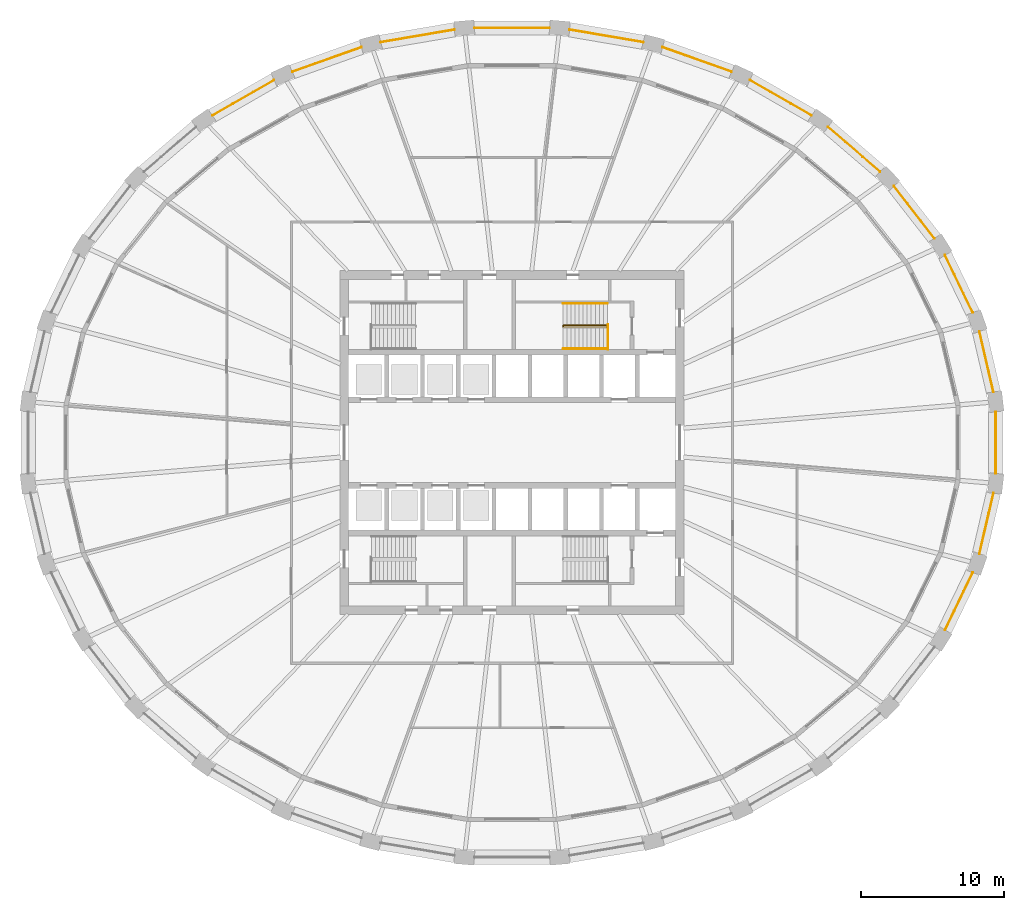
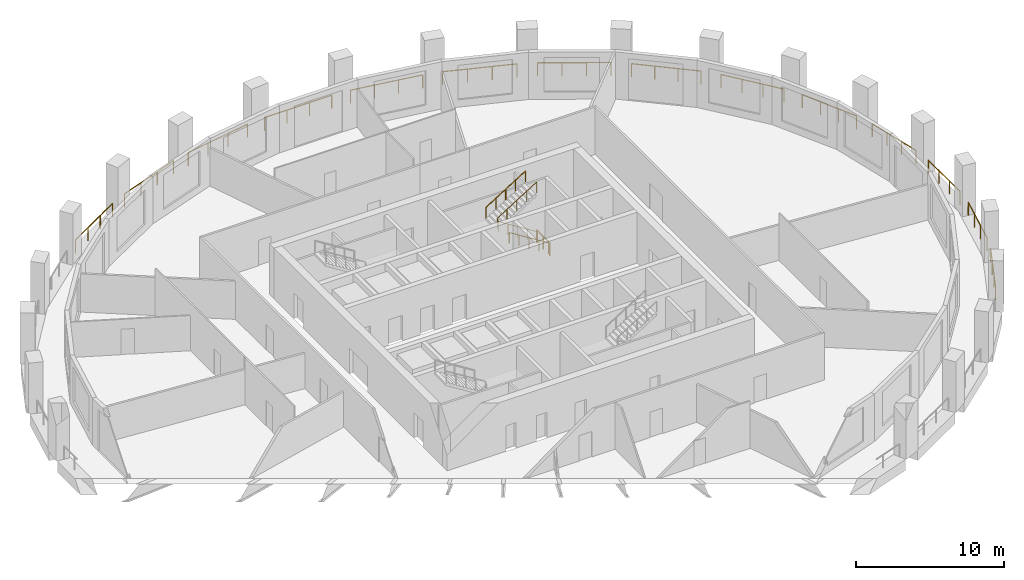
# One storey, part 9 of 10: 18 railings.
"""IFC4 building model written with IfcOpenShell, lengths in metres."""

from ifc_helpers import new_model, si_unit, direction, frame, origin, origin_2d, place, context, subcontext, project, spatial, circle, extrude, material, type_object, element, save


model = new_model("IFC4")

# Units and contexts
model_context = context("Model", 3, precision=1e-05, world=origin(), true_north=direction((0.0, 1.0)))
body_context = subcontext(model_context, "Body", "Model", "MODEL_VIEW")
ifc_project = project(units=[si_unit("LENGTHUNIT", "METRE"), si_unit("AREAUNIT", "SQUARE_METRE"), si_unit("VOLUMEUNIT", "CUBIC_METRE"), si_unit("PLANEANGLEUNIT", "RADIAN"), si_unit("MASSUNIT", "GRAM", prefix="KILO")], contexts=[model_context])

# Site, building, storey
site_placement = place(None, origin())
site = spatial("IfcSite", under=ifc_project, at=site_placement, CompositionType="ELEMENT")
building_placement = place(site_placement, origin())
building = spatial("IfcBuilding", under=site, at=building_placement, Name="Halqa Exchange Tower", CompositionType="ELEMENT")
storey_placement = place(building_placement, frame((0.0, 0.0, 159.10009765625)))
storey = spatial("IfcBuildingStorey", under=building, at=storey_placement, Name="L36", CompositionType="ELEMENT", Elevation=159.10009765625)

# Railings
ifc_material = material(Name="Stainless steel", Category="steel")
railing_type_1 = type_object("IfcRailingType", Name="Guard 1100 stainless steel", PredefinedType="GUARDRAIL", material=ifc_material)
railing_1_placement = place(storey_placement, frame((33.599609375, 3.53173828125, 0.0)))
element("IfcRailing", 1, at=railing_1_placement, inside=storey, type_object=railing_type_1, Name="Loggia guard 1", PredefinedType="GUARDRAIL", context=body_context, shape_type="SweptSolid", body=[
    extrude(circle(Radius=0.02392578125, at=origin_2d()), frame((0.0, 0.0, 1.076171875), z_axis=(-0.226083943623, 0.974107822798, 0.0), x_axis=(-0.974107822798, -0.226083943623, 0.0)), (0.0, 0.0, 1.0), 4.3388671875),
    extrude(circle(Radius=0.02099609375, at=origin_2d()), origin(), (0.0, 0.0, 1.0), 1.052001953125),
    extrude(circle(Radius=0.02099609375, at=origin_2d()), frame((-0.326904296875, 1.408935546875, 0.0)), (0.0, 0.0, 1.0), 1.052001953125),
    extrude(circle(Radius=0.02099609375, at=origin_2d()), frame((-0.654052734375, 2.817626953125, 0.0)), (0.0, 0.0, 1.0), 1.052001953125),
    extrude(circle(Radius=0.02099609375, at=origin_2d()), frame((-0.98095703125, 4.2265625, 0.0)), (0.0, 0.0, 1.0), 1.052001953125),
])
railing_2_placement = place(storey_placement, frame((32.156005859375, 9.0703125, 0.0)))
element("IfcRailing", 2, at=railing_2_placement, inside=storey, type_object=railing_type_1, Name="Loggia guard 2", PredefinedType="GUARDRAIL", context=body_context, shape_type="SweptSolid", body=[
    extrude(circle(Radius=0.02392578125, at=origin_2d()), frame((0.0, 0.0, 1.076171875), z_axis=(-0.435143450916, 0.900361137058, 0.0), x_axis=(-0.900361137058, -0.435143450916, 0.0)), (0.0, 0.0, 1.0), 4.44873046875),
    extrude(circle(Radius=0.02099609375, at=origin_2d()), origin(), (0.0, 0.0, 1.0), 1.052001953125),
    extrude(circle(Radius=0.02099609375, at=origin_2d()), frame((-0.645263671875, 1.335205078125, 0.0)), (0.0, 0.0, 1.0), 1.052001953125),
    extrude(circle(Radius=0.02099609375, at=origin_2d()), frame((-1.29052734375, 2.670166015625, 0.0)), (0.0, 0.0, 1.0), 1.052001953125),
    extrude(circle(Radius=0.02099609375, at=origin_2d()), frame((-1.935791015625, 4.00537109375, 0.0)), (0.0, 0.0, 1.0), 1.052001953125),
])
railing_3_placement = place(storey_placement, frame((29.4853515625, 14.258056640625, 0.0)))
element("IfcRailing", 3, at=railing_3_placement, inside=storey, type_object=railing_type_1, Name="Loggia guard 3", PredefinedType="GUARDRAIL", context=body_context, shape_type="SweptSolid", body=[
    extrude(circle(Radius=0.02392578125, at=origin_2d()), frame((0.0, 0.0, 1.076171875), z_axis=(-0.614787396714, 0.788692878655, 0.0), x_axis=(-0.788692878655, -0.614787396714, 0.0)), (0.0, 0.0, 1.0), 4.60888671875),
    extrude(circle(Radius=0.02099609375, at=origin_2d()), origin(), (0.0, 0.0, 1.0), 1.052001953125),
    extrude(circle(Radius=0.02099609375, at=origin_2d()), frame((-0.944580078125, 1.211669921875, 0.0)), (0.0, 0.0, 1.0), 1.052001953125),
    extrude(circle(Radius=0.02099609375, at=origin_2d()), frame((-1.888916015625, 2.42333984375, 0.0)), (0.0, 0.0, 1.0), 1.052001953125),
    extrude(circle(Radius=0.02099609375, at=origin_2d()), frame((-2.83349609375, 3.635009765625, 0.0)), (0.0, 0.0, 1.0), 1.052001953125),
])
railing_4_placement = place(storey_placement, frame((25.68994140625, 18.900634765625, 0.0)))
element("IfcRailing", 4, at=railing_4_placement, inside=storey, type_object=railing_type_1, Name="Loggia guard 4", PredefinedType="GUARDRAIL", context=body_context, shape_type="SweptSolid", body=[
    extrude(circle(Radius=0.02392578125, at=origin_2d()), frame((0.0, 0.0, 1.076171875), z_axis=(-0.759245815902, 0.650803957452, 0.0), x_axis=(-0.650803957452, -0.759245815902, 0.0)), (0.0, 0.0, 1.0), 4.793212890625),
    extrude(circle(Radius=0.02099609375, at=origin_2d()), origin(), (0.0, 0.0, 1.0), 1.052001953125),
    extrude(circle(Radius=0.02099609375, at=origin_2d()), frame((-1.213134765625, 1.039794921875, 0.0)), (0.0, 0.0, 1.0), 1.052001953125),
    extrude(circle(Radius=0.02099609375, at=origin_2d()), frame((-2.426025390625, 2.07958984375, 0.0)), (0.0, 0.0, 1.0), 1.052001953125),
    extrude(circle(Radius=0.02099609375, at=origin_2d()), frame((-3.63916015625, 3.119384765625, 0.0)), (0.0, 0.0, 1.0), 1.052001953125),
])
railing_5_placement = place(storey_placement, frame((20.911865234375, 22.8232421875, 0.0)))
element("IfcRailing", 5, at=railing_5_placement, inside=storey, type_object=railing_type_1, Name="Loggia guard 5", PredefinedType="GUARDRAIL", context=body_context, shape_type="SweptSolid", body=[
    extrude(circle(Radius=0.02392578125, at=origin_2d()), frame((0.0, 0.0, 1.076171875), z_axis=(-0.867750144397, 0.497000691044, 0.0), x_axis=(-0.497000691044, -0.867750144397, 0.0)), (0.0, 0.0, 1.0), 4.9716796875),
    extrude(circle(Radius=0.02099609375, at=origin_2d()), origin(), (0.0, 0.0, 1.0), 1.052001953125),
    extrude(circle(Radius=0.02099609375, at=origin_2d()), frame((-1.43798828125, 0.82373046875, 0.0)), (0.0, 0.0, 1.0), 1.052001953125),
    extrude(circle(Radius=0.02099609375, at=origin_2d()), frame((-2.876220703125, 1.647216796875, 0.0)), (0.0, 0.0, 1.0), 1.052001953125),
    extrude(circle(Radius=0.02099609375, at=origin_2d()), frame((-4.314208984375, 2.470947265625, 0.0)), (0.0, 0.0, 1.0), 1.052001953125),
])
railing_6_placement = place(storey_placement, frame((15.33056640625, 25.876220703125, 0.0)))
element("IfcRailing", 6, at=railing_6_placement, inside=storey, type_object=railing_type_1, Name="Loggia guard 6", PredefinedType="GUARDRAIL", context=body_context, shape_type="SweptSolid", body=[
    extrude(circle(Radius=0.02392578125, at=origin_2d()), frame((0.0, 0.0, 1.076171875), z_axis=(-0.942356449768, 0.334610701532, 0.0), x_axis=(-0.334610701532, -0.942356449768, 0.0)), (0.0, 0.0, 1.0), 5.119140625),
    extrude(circle(Radius=0.02099609375, at=origin_2d()), origin(), (0.0, 0.0, 1.0), 1.052001953125),
    extrude(circle(Radius=0.02099609375, at=origin_2d()), frame((-1.60791015625, 0.571044921875, 0.0)), (0.0, 0.0, 1.0), 1.052001953125),
    extrude(circle(Radius=0.02099609375, at=origin_2d()), frame((-3.216064453125, 1.141845703125, 0.0)), (0.0, 0.0, 1.0), 1.052001953125),
    extrude(circle(Radius=0.02099609375, at=origin_2d()), frame((-4.823974609375, 1.712890625, 0.0)), (0.0, 0.0, 1.0), 1.052001953125),
])
railing_7_placement = place(storey_placement, frame((9.15673828125, 27.94091796875, 0.0)))
element("IfcRailing", 7, at=railing_7_placement, inside=storey, type_object=railing_type_1, Name="Loggia guard 7", PredefinedType="GUARDRAIL", context=body_context, shape_type="SweptSolid", body=[
    extrude(circle(Radius=0.02392578125, at=origin_2d()), frame((0.0, 0.0, 1.076171875), z_axis=(-0.985781275518, 0.168033558668, 0.0), x_axis=(-0.168033558668, -0.985781275518, 0.0)), (0.0, 0.0, 1.0), 5.216064453125),
    extrude(circle(Radius=0.02099609375, at=origin_2d()), origin(), (0.0, 0.0, 1.0), 1.052001953125),
    extrude(circle(Radius=0.02099609375, at=origin_2d()), frame((-1.7138671875, 0.292236328125, 0.0)), (0.0, 0.0, 1.0), 1.052001953125),
    extrude(circle(Radius=0.02099609375, at=origin_2d()), frame((-3.427978515625, 0.584228515625, 0.0)), (0.0, 0.0, 1.0), 1.052001953125),
    extrude(circle(Radius=0.02099609375, at=origin_2d()), frame((-5.141845703125, 0.87646484375, 0.0)), (0.0, 0.0, 1.0), 1.052001953125),
])
railing_8_placement = place(storey_placement, frame((2.624755859375, 28.935302734375, 0.0)))
element("IfcRailing", 8, at=railing_8_placement, inside=storey, type_object=railing_type_1, Name="Loggia guard 8", PredefinedType="GUARDRAIL", context=body_context, shape_type="SweptSolid", body=[
    extrude(circle(Radius=0.02392578125, at=origin_2d()), frame((0.0, 0.0, 1.076171875), z_axis=(-1.0, 0.0, 0.0), x_axis=(0.0, -1.0, 0.0)), (0.0, 0.0, 1.0), 5.24951171875),
    extrude(circle(Radius=0.02099609375, at=origin_2d()), origin(), (0.0, 0.0, 1.0), 1.052001953125),
    extrude(circle(Radius=0.02099609375, at=origin_2d()), frame((-1.749755859375, 0.0, 0.0)), (0.0, 0.0, 1.0), 1.052001953125),
    extrude(circle(Radius=0.02099609375, at=origin_2d()), frame((-3.499755859375, 0.0, 0.0)), (0.0, 0.0, 1.0), 1.052001953125),
    extrude(circle(Radius=0.02099609375, at=origin_2d()), frame((-5.24951171875, 0.0, 0.0)), (0.0, 0.0, 1.0), 1.052001953125),
])
railing_9_placement = place(storey_placement, frame((-4.014892578125, 28.8173828125, 0.0)))
element("IfcRailing", 9, at=railing_9_placement, inside=storey, type_object=railing_type_1, Name="Loggia guard 9", PredefinedType="GUARDRAIL", context=body_context, shape_type="SweptSolid", body=[
    extrude(circle(Radius=0.02392578125, at=origin_2d()), frame((0.0, 0.0, 1.076171875), z_axis=(-0.985781275518, -0.168033558668, 0.0), x_axis=(0.168033558668, -0.985781275518, 0.0)), (0.0, 0.0, 1.0), 5.216064453125),
    extrude(circle(Radius=0.02099609375, at=origin_2d()), origin(), (0.0, 0.0, 1.0), 1.052001953125),
    extrude(circle(Radius=0.02099609375, at=origin_2d()), frame((-1.7138671875, -0.292236328125, 0.0)), (0.0, 0.0, 1.0), 1.052001953125),
    extrude(circle(Radius=0.02099609375, at=origin_2d()), frame((-3.427978515625, -0.584228515625, 0.0)), (0.0, 0.0, 1.0), 1.052001953125),
    extrude(circle(Radius=0.02099609375, at=origin_2d()), frame((-5.141845703125, -0.87646484375, 0.0)), (0.0, 0.0, 1.0), 1.052001953125),
])
railing_10_placement = place(storey_placement, frame((-10.506591796875, 27.589111328125, 0.0)))
element("IfcRailing", 10, at=railing_10_placement, inside=storey, type_object=railing_type_1, Name="Loggia guard 10", PredefinedType="GUARDRAIL", context=body_context, shape_type="SweptSolid", body=[
    extrude(circle(Radius=0.02392578125, at=origin_2d()), frame((0.0, 0.0, 1.076171875), z_axis=(-0.942356449768, -0.334610701532, 0.0), x_axis=(0.334610701532, -0.942356449768, 0.0)), (0.0, 0.0, 1.0), 5.119140625),
    extrude(circle(Radius=0.02099609375, at=origin_2d()), origin(), (0.0, 0.0, 1.0), 1.052001953125),
    extrude(circle(Radius=0.02099609375, at=origin_2d()), frame((-1.60791015625, -0.571044921875, 0.0)), (0.0, 0.0, 1.0), 1.052001953125),
    extrude(circle(Radius=0.02099609375, at=origin_2d()), frame((-3.216064453125, -1.141845703125, 0.0)), (0.0, 0.0, 1.0), 1.052001953125),
    extrude(circle(Radius=0.02099609375, at=origin_2d()), frame((-4.823974609375, -1.712890625, 0.0)), (0.0, 0.0, 1.0), 1.052001953125),
])
railing_11_placement = place(storey_placement, frame((-16.59765625, 25.294189453125, 0.0)))
element("IfcRailing", 11, at=railing_11_placement, inside=storey, type_object=railing_type_1, Name="Loggia guard 11", PredefinedType="GUARDRAIL", context=body_context, shape_type="SweptSolid", body=[
    extrude(circle(Radius=0.02392578125, at=origin_2d()), frame((0.0, 0.0, 1.076171875), z_axis=(-0.867750144397, -0.497000691044, 0.0), x_axis=(0.497000691044, -0.867750144397, 0.0)), (0.0, 0.0, 1.0), 4.9716796875),
    extrude(circle(Radius=0.02099609375, at=origin_2d()), origin(), (0.0, 0.0, 1.0), 1.052001953125),
    extrude(circle(Radius=0.02099609375, at=origin_2d()), frame((-1.43798828125, -0.82373046875, 0.0)), (0.0, 0.0, 1.0), 1.052001953125),
    extrude(circle(Radius=0.02099609375, at=origin_2d()), frame((-2.876220703125, -1.647216796875, 0.0)), (0.0, 0.0, 1.0), 1.052001953125),
    extrude(circle(Radius=0.02099609375, at=origin_2d()), frame((-4.314208984375, -2.470947265625, 0.0)), (0.0, 0.0, 1.0), 1.052001953125),
])
railing_12_placement = place(storey_placement, frame((30.22021484375, -13.07568359375, 0.0)))
element("IfcRailing", 12, at=railing_12_placement, inside=storey, type_object=railing_type_1, Name="Loggia guard 30", PredefinedType="GUARDRAIL", context=body_context, shape_type="SweptSolid", body=[
    extrude(circle(Radius=0.02392578125, at=origin_2d()), frame((0.0, 0.0, 1.076171875), z_axis=(0.435143450916, 0.900361137058, 0.0), x_axis=(-0.900361137058, 0.435143450916, 0.0)), (0.0, 0.0, 1.0), 4.44873046875),
    extrude(circle(Radius=0.02099609375, at=origin_2d()), origin(), (0.0, 0.0, 1.0), 1.052001953125),
    extrude(circle(Radius=0.02099609375, at=origin_2d()), frame((0.645263671875, 1.335205078125, 0.0)), (0.0, 0.0, 1.0), 1.052001953125),
    extrude(circle(Radius=0.02099609375, at=origin_2d()), frame((1.29052734375, 2.670166015625, 0.0)), (0.0, 0.0, 1.0), 1.052001953125),
    extrude(circle(Radius=0.02099609375, at=origin_2d()), frame((1.935791015625, 4.00537109375, 0.0)), (0.0, 0.0, 1.0), 1.052001953125),
])
railing_13_placement = place(storey_placement, frame((32.61865234375, -7.75830078125, 0.0)))
element("IfcRailing", 13, at=railing_13_placement, inside=storey, type_object=railing_type_1, Name="Loggia guard 31", PredefinedType="GUARDRAIL", context=body_context, shape_type="SweptSolid", body=[
    extrude(circle(Radius=0.02392578125, at=origin_2d()), frame((0.0, 0.0, 1.076171875), z_axis=(0.226083943623, 0.974107822798, 0.0), x_axis=(-0.974107822798, 0.226083943623, 0.0)), (0.0, 0.0, 1.0), 4.3388671875),
    extrude(circle(Radius=0.02099609375, at=origin_2d()), origin(), (0.0, 0.0, 1.0), 1.052001953125),
    extrude(circle(Radius=0.02099609375, at=origin_2d()), frame((0.326904296875, 1.408935546875, 0.0)), (0.0, 0.0, 1.0), 1.052001953125),
    extrude(circle(Radius=0.02099609375, at=origin_2d()), frame((0.654052734375, 2.817626953125, 0.0)), (0.0, 0.0, 1.0), 1.052001953125),
    extrude(circle(Radius=0.02099609375, at=origin_2d()), frame((0.98095703125, 4.2265625, 0.0)), (0.0, 0.0, 1.0), 1.052001953125),
])
railing_14_placement = place(storey_placement, frame((33.7578125, -2.14990234375, 0.0)))
element("IfcRailing", 14, at=railing_14_placement, inside=storey, type_object=railing_type_1, Name="Loggia guard 32", PredefinedType="GUARDRAIL", context=body_context, shape_type="SweptSolid", body=[
    extrude(circle(Radius=0.02392578125, at=origin_2d()), frame((0.0, 0.0, 1.076171875), z_axis=(0.0, 1.0, 0.0), x_axis=(-1.0, 0.0, 0.0)), (0.0, 0.0, 1.0), 4.2998046875),
    extrude(circle(Radius=0.02099609375, at=origin_2d()), origin(), (0.0, 0.0, 1.0), 1.052001953125),
    extrude(circle(Radius=0.02099609375, at=origin_2d()), frame((0.0, 1.433349609375, 0.0)), (0.0, 0.0, 1.0), 1.052001953125),
    extrude(circle(Radius=0.02099609375, at=origin_2d()), frame((0.0, 2.866455078125, 0.0)), (0.0, 0.0, 1.0), 1.052001953125),
    extrude(circle(Radius=0.02099609375, at=origin_2d()), frame((0.0, 4.2998046875, 0.0)), (0.0, 0.0, 1.0), 1.052001953125),
])
railing_type_2 = type_object("IfcRailingType", Name="Stair handrail 900", PredefinedType="HANDRAIL", material=ifc_material)
railing_15_placement = place(storey_placement, frame((6.64990234375, 8.06005859375, 0.1748046875)))
element("IfcRailing", 15, at=railing_15_placement, inside=storey, type_object=railing_type_2, Name="Handrail ST2.1", PredefinedType="HANDRAIL", context=body_context, shape_type="SweptSolid", body=[
    extrude(circle(Radius=0.02392578125, at=origin_2d()), frame((0.0, 0.0, 0.8759765625), z_axis=(-0.847979421464, 0.0, 0.530029150871), x_axis=(0.0, -1.0, 0.0)), (0.0, 0.0, 1.0), 3.632080078125),
    extrude(circle(Radius=0.02392578125, at=origin_2d()), frame((-3.079833984375, 0.0, 2.80078125), z_axis=(0.0, 0.595870227118, 0.803080738428), x_axis=(-1.0, 0.0, 0.0)), (0.0, 0.0, 1.0), 0.218017578125),
    extrude(circle(Radius=0.02392578125, at=origin_2d()), frame((-3.079833984375, 0.1298828125, 2.97607421875), z_axis=(0.847979421464, 0.0, 0.530029150871), x_axis=(0.0, 1.0, 0.0)), (0.0, 0.0, 1.0), 3.632080078125),
    extrude(circle(Radius=0.02099609375, at=origin_2d()), origin(), (0.0, 0.0, 1.0), 0.851806640625),
    extrude(circle(Radius=0.02099609375, at=origin_2d()), frame((-0.77001953125, 0.0, 0.481201171875)), (0.0, 0.0, 1.0), 0.851806640625),
    extrude(circle(Radius=0.02099609375, at=origin_2d()), frame((-1.5400390625, 0.0, 0.96240234375)), (0.0, 0.0, 1.0), 0.851806640625),
    extrude(circle(Radius=0.02099609375, at=origin_2d()), frame((-2.309814453125, 0.0, 1.44384765625)), (0.0, 0.0, 1.0), 0.851806640625),
    extrude(circle(Radius=0.02099609375, at=origin_2d()), frame((-3.079833984375, 0.0, 1.925048828125)), (0.0, 0.0, 1.0), 0.851806640625),
    extrude(circle(Radius=0.02099609375, at=origin_2d()), frame((-3.079833984375, 0.1298828125, 2.10009765625)), (0.0, 0.0, 1.0), 0.851806640625),
    extrude(circle(Radius=0.02099609375, at=origin_2d()), frame((-2.309814453125, 0.1298828125, 2.581298828125)), (0.0, 0.0, 1.0), 0.851806640625),
    extrude(circle(Radius=0.02099609375, at=origin_2d()), frame((-1.5400390625, 0.1298828125, 3.0625)), (0.0, 0.0, 1.0), 0.851806640625),
    extrude(circle(Radius=0.02099609375, at=origin_2d()), frame((-0.77001953125, 0.1298828125, 3.5439453125)), (0.0, 0.0, 1.0), 0.851806640625),
    extrude(circle(Radius=0.02099609375, at=origin_2d()), frame((0.0, 0.1298828125, 4.025146484375)), (0.0, 0.0, 1.0), 0.851806640625),
])
railing_16_placement = place(storey_placement, frame((6.64990234375, 6.550048828125, 0.1748046875)))
element("IfcRailing", 16, at=railing_16_placement, inside=storey, type_object=railing_type_2, Name="Handrail ST2.2", PredefinedType="HANDRAIL", context=body_context, shape_type="SweptSolid", body=[
    extrude(circle(Radius=0.02392578125, at=origin_2d()), frame((0.0, 0.0, 0.8759765625), z_axis=(-0.847979421464, 0.0, 0.530029150871), x_axis=(0.0, -1.0, 0.0)), (0.0, 0.0, 1.0), 3.632080078125),
    extrude(circle(Radius=0.02099609375, at=origin_2d()), origin(), (0.0, 0.0, 1.0), 0.851806640625),
    extrude(circle(Radius=0.02099609375, at=origin_2d()), frame((-0.77001953125, 0.0, 0.481201171875)), (0.0, 0.0, 1.0), 0.851806640625),
    extrude(circle(Radius=0.02099609375, at=origin_2d()), frame((-1.5400390625, 0.0, 0.96240234375)), (0.0, 0.0, 1.0), 0.851806640625),
    extrude(circle(Radius=0.02099609375, at=origin_2d()), frame((-2.309814453125, 0.0, 1.44384765625)), (0.0, 0.0, 1.0), 0.851806640625),
    extrude(circle(Radius=0.02099609375, at=origin_2d()), frame((-3.079833984375, 0.0, 1.925048828125)), (0.0, 0.0, 1.0), 0.851806640625),
])
railing_17_placement = place(storey_placement, frame((3.570068359375, 9.699951171875, 2.27490234375)))
element("IfcRailing", 17, at=railing_17_placement, inside=storey, type_object=railing_type_2, Name="Handrail ST2.3", PredefinedType="HANDRAIL", context=body_context, shape_type="SweptSolid", body=[
    extrude(circle(Radius=0.02392578125, at=origin_2d()), frame((0.0, 0.0, 0.8759765625), z_axis=(0.847979421464, 0.0, 0.530029150871), x_axis=(0.0, 1.0, 0.0)), (0.0, 0.0, 1.0), 3.632080078125),
    extrude(circle(Radius=0.02099609375, at=origin_2d()), origin(), (0.0, 0.0, 1.0), 0.851806640625),
    extrude(circle(Radius=0.02099609375, at=origin_2d()), frame((0.77001953125, 0.0, 0.481201171875)), (0.0, 0.0, 1.0), 0.851806640625),
    extrude(circle(Radius=0.02099609375, at=origin_2d()), frame((1.5400390625, 0.0, 0.96240234375)), (0.0, 0.0, 1.0), 0.851806640625),
    extrude(circle(Radius=0.02099609375, at=origin_2d()), frame((2.309814453125, 0.0, 1.44384765625)), (0.0, 0.0, 1.0), 0.851806640625),
    extrude(circle(Radius=0.02099609375, at=origin_2d()), frame((3.079833984375, 0.0, 1.925048828125)), (0.0, 0.0, 1.0), 0.851806640625),
])
railing_type_3 = type_object("IfcRailingType", Name="Stair well guard 1100", PredefinedType="GUARDRAIL", material=ifc_material)
railing_18_placement = place(storey_placement, frame((6.699951171875, 6.5, 0.0)))
element("IfcRailing", 18, at=railing_18_placement, inside=storey, type_object=railing_type_3, Name="Guard ST2 well", PredefinedType="GUARDRAIL", context=body_context, shape_type="SweptSolid", body=[
    extrude(circle(Radius=0.02392578125, at=origin_2d()), frame((0.0, 0.0, 1.076171875), z_axis=(0.0, 1.0, 0.0), x_axis=(-1.0, 0.0, 0.0)), (0.0, 0.0, 1.0), 1.75),
    extrude(circle(Radius=0.02099609375, at=origin_2d()), origin(), (0.0, 0.0, 1.0), 1.052001953125),
    extrude(circle(Radius=0.02099609375, at=origin_2d()), frame((0.0, 0.875, 0.0)), (0.0, 0.0, 1.0), 1.052001953125),
    extrude(circle(Radius=0.02099609375, at=origin_2d()), frame((0.0, 1.75, 0.0)), (0.0, 0.0, 1.0), 1.052001953125),
])

save(model, "model.ifc")
